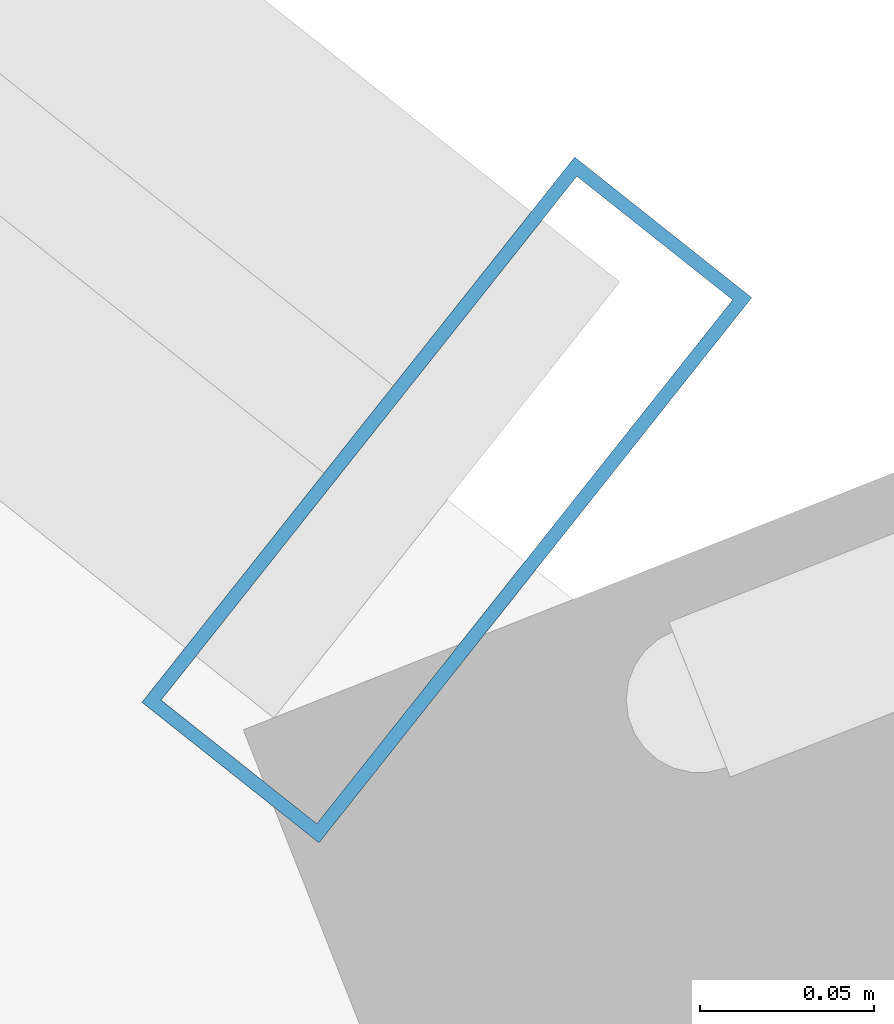
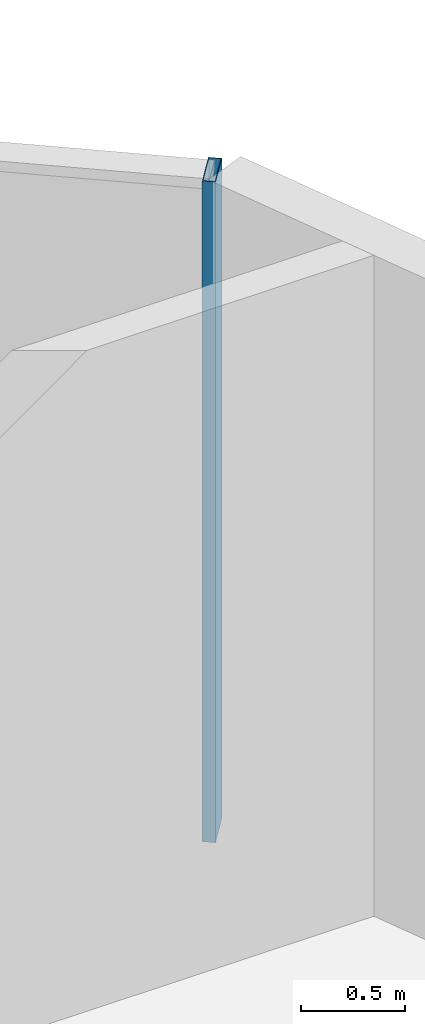
# One storey, part 14 of 22: 1 member, 1 element without a shape of its own.
"""IFC4 building model written with IfcOpenShell, lengths in metres."""

from ifc_helpers import new_model, si_unit, direction, frame, origin, origin_2d, place, context, subcontext, project, spatial, hollow_rectangle, extrude, source, transform, mapped, material, layer, layer_set, material_profile, profile_set, type_object, element, aggregate, save


model = new_model("IFC4")

# Units and contexts
model_context = context("Model", 3, precision=1e-05, world=origin(), true_north=direction((0.0, 1.0)))
body_context = subcontext(model_context, "Body", "Model", "MODEL_VIEW")
ifc_project = project(units=[si_unit("LENGTHUNIT", "METRE"), si_unit("AREAUNIT", "SQUARE_METRE"), si_unit("VOLUMEUNIT", "CUBIC_METRE"), si_unit("PLANEANGLEUNIT", "RADIAN"), si_unit("MASSUNIT", "GRAM", prefix="KILO")], contexts=[model_context])

# Site, building, storey
site_placement = place(None, origin())
site = spatial("IfcSite", under=ifc_project, at=site_placement, CompositionType="ELEMENT")
building_placement = place(site_placement, origin())
building = spatial("IfcBuilding", under=site, at=building_placement, Name="Veraguas Prism Commons", CompositionType="ELEMENT")
storey_placement = place(building_placement, frame((0.0, 0.0, 236.550048828125)))
storey = spatial("IfcBuildingStorey", under=building, at=storey_placement, Name="L67", CompositionType="ELEMENT", Elevation=236.550048828125)

# Curtain wall, member
ifc_material = material(Name="Anodised aluminium EN AW-6063 T6", Category="aluminium")
ifc_layer = layer(ifc_material, 0.199951171875, Name="Sky Lobby and Pool Acoustic Curtain Wall", Category="aluminium")
ifc_layer_set = layer_set([ifc_layer], Name="Anodised aluminium EN AW-6063 T6")
curtain_wall_type = type_object("IfcCurtainWallType", Name="Sky Lobby and Pool Acoustic Curtain Wall", PredefinedType="NOTDEFINED", material=ifc_layer_set)
curtain_wall_placement = place(storey_placement, origin())
curtain_wall = element("IfcCurtainWall", 1, at=curtain_wall_placement, inside=storey, type_object=curtain_wall_type, Name="Tower Facade Curtain Wall L67-F1", PredefinedType="NOTDEFINED")
ifc_material_profile = material_profile(ifc_material, hollow_rectangle(XDim=0.06494140625, YDim=0.199951171875, WallThickness=0.00390625, at=origin_2d()), Name="AL65X200X4")
ifc_profile_set = profile_set([ifc_material_profile], Name="Anodised aluminium EN AW-6063 T6")
member_type = type_object("IfcMemberType", Name="Curtain Wall Mullion Heavy AL 65x200x4", PredefinedType="MULLION", material=ifc_profile_set)
shared_shape = source(origin(), body_context, "Body", "SweptSolid", [
    extrude(hollow_rectangle(XDim=0.06494140625, YDim=0.199951171875, WallThickness=0.00390625, at=origin_2d()), origin(), (0.0, 0.0, 1.0), 3.864990234375),
])
member_placement = place(storey_placement, frame((39.987060546875, 32.318115234375, 0.0), z_axis=(0.0, 0.0, 1.0), x_axis=(-0.78325853836, 0.621696117155, 0.0)))
member = element("IfcMember", 2, at=member_placement, type_object=member_type, Name="CW-SKY Mullion 1", PredefinedType="MULLION", context=body_context, shape_type="MappedRepresentation", body=[
    mapped(shared_shape, transform((0.0, 0.0, 0.0), scale=1.0)),
])
aggregate(curtain_wall, [member])

save(model, "model.ifc")
